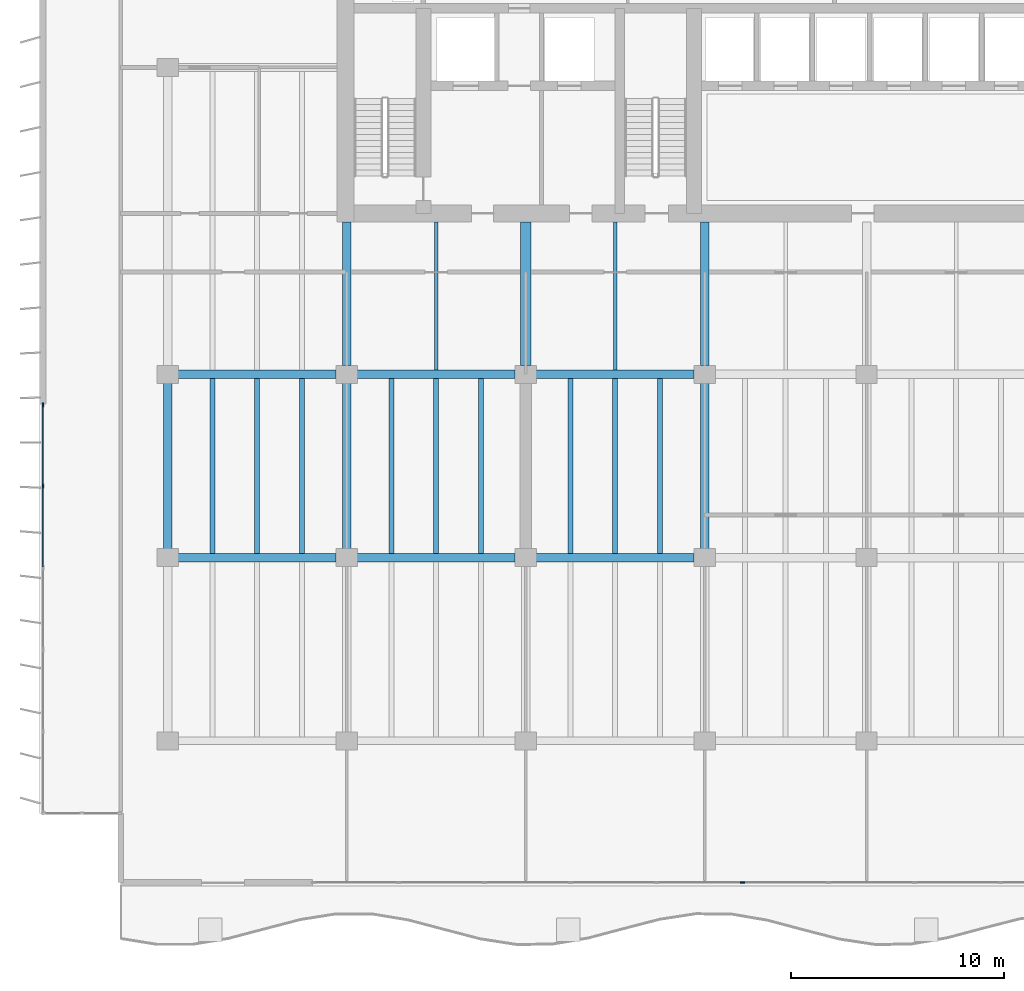
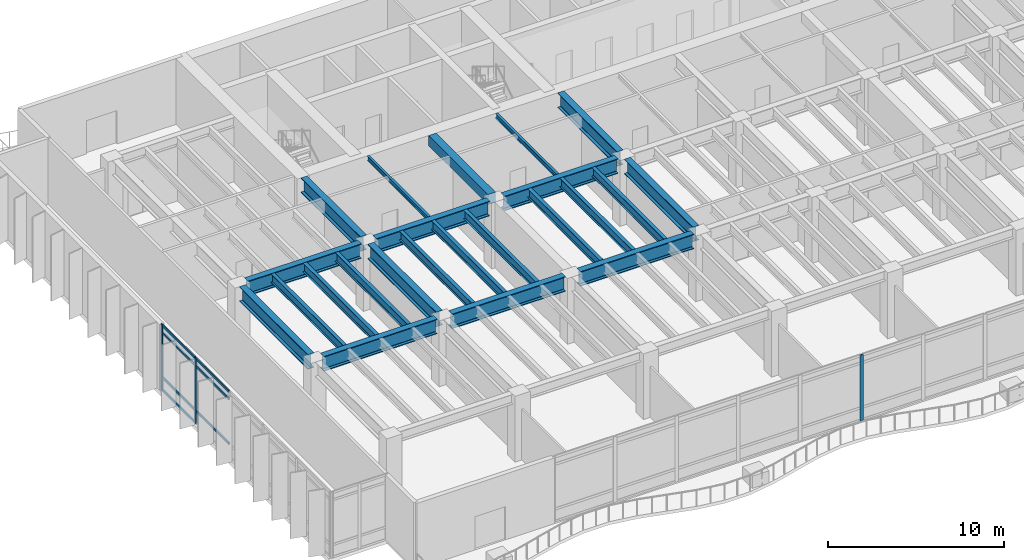
# One storey, part 3 of 16: 23 beams, 10 members, 2 elements without a shape of their own.
"""IFC4 building model written with IfcOpenShell, lengths in metres."""

from ifc_helpers import new_model, si_unit, direction, frame, origin, origin_2d, place, context, subcontext, project, spatial, rectangle, i_section, extrude, material, layer, layer_set, material_profile, profile_set, type_object, element, aggregate, save


model = new_model("IFC4")

# Units and contexts
model_context = context("Model", 3, precision=1e-05, world=origin(), true_north=direction((0.0, 1.0)))
body_context = subcontext(model_context, "Body", "Model", "MODEL_VIEW")
ifc_project = project(units=[si_unit("LENGTHUNIT", "METRE"), si_unit("AREAUNIT", "SQUARE_METRE"), si_unit("VOLUMEUNIT", "CUBIC_METRE"), si_unit("PLANEANGLEUNIT", "RADIAN"), si_unit("MASSUNIT", "GRAM", prefix="KILO")], contexts=[model_context])

# Site, building, storey
site_placement = place(None, origin())
site = spatial("IfcSite", under=ifc_project, at=site_placement, CompositionType="ELEMENT")
building_placement = place(site_placement, origin())
building = spatial("IfcBuilding", under=site, at=building_placement, Name="Caelmar Bay Residences", CompositionType="ELEMENT")
storey_placement = place(building_placement, frame((0.0, 0.0, 97.800048828125)))
storey = spatial("IfcBuildingStorey", under=building, at=storey_placement, Name="L26", CompositionType="ELEMENT", Elevation=97.800048828125)

# Beams
ifc_material_1 = material(Name="Steel ASTM A992 Grade 50", Category="steel")
ifc_material_profile_1 = material_profile(ifc_material_1, i_section(OverallWidth=0.404052734375, OverallDepth=1.02099609375, WebThickness=0.025390625, FlangeThickness=0.0458984375, FilletRadius=0.02294921875, at=origin_2d()), Name="W40X324")
ifc_profile_set_1 = profile_set([ifc_material_profile_1], Name="Steel ASTM A992 Grade 50")
beam_type_1 = type_object("IfcBeamType", Name="BM-GRD-W40X324", PredefinedType="BEAM", material=ifc_profile_set_1)
beam_1_placement = place(storey_placement, frame((10.389892578125, 20.800048828125, 4.03955078125), z_axis=(1.0, 0.0, 0.0), x_axis=(0.0, 1.0, 0.0)))
element("IfcBeam", 1, at=beam_1_placement, inside=storey, type_object=beam_type_1, Name="L26 East-West Girder Y=20.80 (9.9-18.3)", PredefinedType="BEAM", context=body_context, shape_type="SweptSolid", body=[
    extrude(i_section(OverallWidth=0.404052734375, OverallDepth=1.02099609375, WebThickness=0.025390625, FlangeThickness=0.0458984375, FilletRadius=0.02294921875, at=origin_2d()), origin(), (0.0, 0.0, 1.0), 7.420166015625),
])
beam_2_placement = place(storey_placement, frame((18.7900390625, 20.800048828125, 4.03955078125), z_axis=(1.0, 0.0, 0.0), x_axis=(0.0, 1.0, 0.0)))
element("IfcBeam", 2, at=beam_2_placement, inside=storey, type_object=beam_type_1, Name="L26 East-West Girder Y=20.80 (18.3-26.7)", PredefinedType="BEAM", context=body_context, shape_type="SweptSolid", body=[
    extrude(i_section(OverallWidth=0.404052734375, OverallDepth=1.02099609375, WebThickness=0.025390625, FlangeThickness=0.0458984375, FilletRadius=0.02294921875, at=origin_2d()), origin(), (0.0, 0.0, 1.0), 7.419921875),
])
for number, where, z_axis, x_axis, name in (
    (3, (27.18994140625, 20.800048828125, 4.03955078125), (1.0, 0.0, 0.0), (0.0, 1.0, 0.0), "L26 East-West Girder Y=20.80 (26.7-35.1)"),
    (4, (10.389892578125, 29.39990234375, 4.03955078125), (1.0, 0.0, 0.0), (0.0, 1.0, 0.0), "L26 East-West Girder Y=29.40 (9.9-18.3)"),
):
    element("IfcBeam", number, at=place(storey_placement, frame(where, z_axis=z_axis, x_axis=x_axis)), inside=storey, type_object=beam_type_1, Name=name, PredefinedType="BEAM", context=body_context, shape_type="SweptSolid", body=[
        extrude(i_section(OverallWidth=0.404052734375, OverallDepth=1.02099609375, WebThickness=0.025390625, FlangeThickness=0.0458984375, FilletRadius=0.02294921875, at=origin_2d()), origin(), (0.0, 0.0, 1.0), 7.420166015625),
    ])
beam_3_placement = place(storey_placement, frame((18.7900390625, 29.39990234375, 4.03955078125), z_axis=(1.0, 0.0, 0.0), x_axis=(0.0, 1.0, 0.0)))
element("IfcBeam", 5, at=beam_3_placement, inside=storey, type_object=beam_type_1, Name="L26 East-West Girder Y=29.40 (18.3-26.7)", PredefinedType="BEAM", context=body_context, shape_type="SweptSolid", body=[
    extrude(i_section(OverallWidth=0.404052734375, OverallDepth=1.02099609375, WebThickness=0.025390625, FlangeThickness=0.0458984375, FilletRadius=0.02294921875, at=origin_2d()), origin(), (0.0, 0.0, 1.0), 7.419921875),
])
beam_4_placement = place(storey_placement, frame((27.18994140625, 29.39990234375, 4.03955078125), z_axis=(1.0, 0.0, 0.0), x_axis=(0.0, 1.0, 0.0)))
element("IfcBeam", 6, at=beam_4_placement, inside=storey, type_object=beam_type_1, Name="L26 East-West Girder Y=29.40 (26.7-35.1)", PredefinedType="BEAM", context=body_context, shape_type="SweptSolid", body=[
    extrude(i_section(OverallWidth=0.404052734375, OverallDepth=1.02099609375, WebThickness=0.025390625, FlangeThickness=0.0458984375, FilletRadius=0.02294921875, at=origin_2d()), origin(), (0.0, 0.0, 1.0), 7.420166015625),
])
beam_5_placement = place(storey_placement, frame((9.89990234375, 21.215087890625, 4.03955078125), z_axis=(0.0, 1.0, 0.0), x_axis=(-1.0, 0.0, 0.0)))
element("IfcBeam", 7, at=beam_5_placement, inside=storey, type_object=beam_type_1, Name="L26 North-South Girder X=9.90 (20.8-29.4)", PredefinedType="BEAM", context=body_context, shape_type="SweptSolid", body=[
    extrude(i_section(OverallWidth=0.404052734375, OverallDepth=1.02099609375, WebThickness=0.025390625, FlangeThickness=0.0458984375, FilletRadius=0.02294921875, at=origin_2d()), origin(), (0.0, 0.0, 1.0), 7.77001953125),
])
beam_6_placement = place(storey_placement, frame((18.300048828125, 29.81494140625, 4.03955078125), z_axis=(0.0, 1.0, 0.0), x_axis=(-1.0, 0.0, 0.0)))
element("IfcBeam", 8, at=beam_6_placement, inside=storey, type_object=beam_type_1, Name="L26 Core Tie Girder X=18.30", PredefinedType="BEAM", context=body_context, shape_type="SweptSolid", body=[
    extrude(i_section(OverallWidth=0.404052734375, OverallDepth=1.02099609375, WebThickness=0.025390625, FlangeThickness=0.0458984375, FilletRadius=0.02294921875, at=origin_2d()), origin(), (0.0, 0.0, 1.0), 6.735107421875),
])
beam_7_placement = place(storey_placement, frame((18.300048828125, 21.215087890625, 4.03955078125), z_axis=(0.0, 1.0, 0.0), x_axis=(-1.0, 0.0, 0.0)))
element("IfcBeam", 9, at=beam_7_placement, inside=storey, type_object=beam_type_1, Name="L26 North-South Girder X=18.30 (20.8-29.4)", PredefinedType="BEAM", context=body_context, shape_type="SweptSolid", body=[
    extrude(i_section(OverallWidth=0.404052734375, OverallDepth=1.02099609375, WebThickness=0.025390625, FlangeThickness=0.0458984375, FilletRadius=0.02294921875, at=origin_2d()), origin(), (0.0, 0.0, 1.0), 7.77001953125),
])
beam_8_placement = place(storey_placement, frame((35.10009765625, 29.81494140625, 4.03955078125), z_axis=(0.0, 1.0, 0.0), x_axis=(-1.0, 0.0, 0.0)))
element("IfcBeam", 10, at=beam_8_placement, inside=storey, type_object=beam_type_1, Name="L26 Core Tie Girder X=35.10", PredefinedType="BEAM", context=body_context, shape_type="SweptSolid", body=[
    extrude(i_section(OverallWidth=0.404052734375, OverallDepth=1.02099609375, WebThickness=0.025390625, FlangeThickness=0.0458984375, FilletRadius=0.02294921875, at=origin_2d()), origin(), (0.0, 0.0, 1.0), 6.735107421875),
])
beam_9_placement = place(storey_placement, frame((35.10009765625, 21.215087890625, 4.03955078125), z_axis=(0.0, 1.0, 0.0), x_axis=(-1.0, 0.0, 0.0)))
element("IfcBeam", 11, at=beam_9_placement, inside=storey, type_object=beam_type_1, Name="L26 North-South Girder X=35.10 (20.8-29.4)", PredefinedType="BEAM", context=body_context, shape_type="SweptSolid", body=[
    extrude(i_section(OverallWidth=0.404052734375, OverallDepth=1.02099609375, WebThickness=0.025390625, FlangeThickness=0.0458984375, FilletRadius=0.02294921875, at=origin_2d()), origin(), (0.0, 0.0, 1.0), 7.77001953125),
])
ifc_material_profile_2 = material_profile(ifc_material_1, i_section(OverallWidth=0.1650390625, OverallDepth=0.31005859375, WebThickness=0.005859375, FlangeThickness=0.009765625, FilletRadius=0.007568359375, at=origin_2d()), Name="W12X26")
ifc_profile_set_2 = profile_set([ifc_material_profile_2], Name="Steel ASTM A992 Grade 50")
beam_type_2 = type_object("IfcBeamType", Name="BM-JST-W12X26", PredefinedType="JOIST", material=ifc_profile_set_2)
for number, where, z_axis, x_axis, name in (
    (12, (22.5, 29.60205078125, 4.39501953125), (0.0, 1.0, 0.0), (-1.0, 0.0, 0.0), "L26 Core-Band Composite Joist 43"),
    (13, (30.89990234375, 29.60205078125, 4.39501953125), (0.0, 1.0, 0.0), (-1.0, 0.0, 0.0), "L26 Core-Band Composite Joist 44"),
):
    element("IfcBeam", number, at=place(storey_placement, frame(where, z_axis=z_axis, x_axis=x_axis)), inside=storey, type_object=beam_type_2, Name=name, PredefinedType="JOIST", context=body_context, shape_type="SweptSolid", body=[
        extrude(i_section(OverallWidth=0.1650390625, OverallDepth=0.31005859375, WebThickness=0.005859375, FlangeThickness=0.009765625, FilletRadius=0.007568359375, at=origin_2d()), origin(), (0.0, 0.0, 1.0), 6.947998046875),
    ])
ifc_material_profile_3 = material_profile(ifc_material_1, i_section(OverallWidth=0.22900390625, OverallDepth=0.612060546875, WebThickness=0.011962890625, FlangeThickness=0.01953125, FilletRadius=0.0126953125, at=origin_2d()), Name="W24X84")
ifc_profile_set_3 = profile_set([ifc_material_profile_3], Name="Steel ASTM A992 Grade 50")
beam_type_3 = type_object("IfcBeamType", Name="BM-JST-W24X84", PredefinedType="JOIST", material=ifc_profile_set_3)
for number, where, z_axis, x_axis, name in (
    (14, (12.0, 21.001953125, 4.243896484375), (0.0, 1.0, 0.0), (-1.0, 0.0, 0.0), "L26 Composite Floor Joist 22"),
    (15, (14.10009765625, 21.001953125, 4.243896484375), (0.0, 1.0, 0.0), (-1.0, 0.0, 0.0), "L26 Composite Floor Joist 23"),
    (16, (16.199951171875, 21.001953125, 4.243896484375), (0.0, 1.0, 0.0), (-1.0, 0.0, 0.0), "L26 Composite Floor Joist 24"),
    (17, (20.39990234375, 21.001953125, 4.243896484375), (0.0, 1.0, 0.0), (-1.0, 0.0, 0.0), "L26 Composite Floor Joist 25"),
    (18, (22.5, 21.001953125, 4.243896484375), (0.0, 1.0, 0.0), (-1.0, 0.0, 0.0), "L26 Composite Floor Joist 26"),
    (19, (24.60009765625, 21.001953125, 4.243896484375), (0.0, 1.0, 0.0), (-1.0, 0.0, 0.0), "L26 Composite Floor Joist 27"),
    (20, (28.800048828125, 21.001953125, 4.243896484375), (0.0, 1.0, 0.0), (-1.0, 0.0, 0.0), "L26 Composite Floor Joist 28"),
    (21, (30.89990234375, 21.001953125, 4.243896484375), (0.0, 1.0, 0.0), (-1.0, 0.0, 0.0), "L26 Composite Floor Joist 29"),
    (22, (33.0, 21.001953125, 4.243896484375), (0.0, 1.0, 0.0), (-1.0, 0.0, 0.0), "L26 Composite Floor Joist 30"),
):
    element("IfcBeam", number, at=place(storey_placement, frame(where, z_axis=z_axis, x_axis=x_axis)), inside=storey, type_object=beam_type_3, Name=name, PredefinedType="JOIST", context=body_context, shape_type="SweptSolid", body=[
        extrude(i_section(OverallWidth=0.22900390625, OverallDepth=0.612060546875, WebThickness=0.011962890625, FlangeThickness=0.01953125, FilletRadius=0.0126953125, at=origin_2d()), origin(), (0.0, 0.0, 1.0), 8.196044921875),
    ])
ifc_material_2 = material(Name="Concrete f'c 55 MPa (8,000 psi)", Category="concrete")
ifc_material_profile_4 = material_profile(ifc_material_2, rectangle(XDim=0.5, YDim=0.699951171875, at=origin_2d()), Name="RC-BM-500X700")
ifc_profile_set_4 = profile_set([ifc_material_profile_4], Name="Concrete f'c 55 MPa (8,000 psi)")
beam_type_4 = type_object("IfcBeamType", Name="BM-RC-500X700", PredefinedType="LINTEL", material=ifc_profile_set_4)
beam_10_placement = place(storey_placement, frame((26.699951171875, 29.81494140625, 4.199951171875), z_axis=(0.0, 1.0, 0.0), x_axis=(-1.0, 0.0, 0.0)))
element("IfcBeam", 23, at=beam_10_placement, inside=storey, type_object=beam_type_4, Name="L26 Shear-Wall Corridor Coupling Lintel W5", PredefinedType="LINTEL", context=body_context, shape_type="SweptSolid", body=[
    extrude(rectangle(XDim=0.5, YDim=0.699951171875, at=origin_2d()), origin(), (0.0, 0.0, 1.0), 6.735107421875),
])

# Curtain wall, member
ifc_material_3 = material(Name="Anodised bronze aluminium 6063-T6 and laminated glass", Category="aluminium")
ifc_layer = layer(ifc_material_3, 0.179931640625)
ifc_layer_set = layer_set([ifc_layer], Name="Anodised bronze aluminium 6063-T6 and laminated glass")
curtain_wall_type = type_object("IfcCurtainWallType", Name="CW7-CRN", PredefinedType="NOTDEFINED", material=ifc_layer_set)
curtain_wall_1_placement = place(storey_placement, origin())
curtain_wall_1 = element("IfcCurtainWall", 24, at=curtain_wall_1_placement, inside=storey, type_object=curtain_wall_type, Name="CW7 curtain wall L26", PredefinedType="NOTDEFINED")
ifc_material_4 = material(Name="Anodised bronze aluminium 6063-T6", Category="aluminium")
ifc_material_profile_5 = material_profile(ifc_material_4, rectangle(XDim=0.080078125, YDim=0.219970703125, at=origin_2d()), Name="CWM-80X220")
ifc_profile_set_5 = profile_set([ifc_material_profile_5], Name="Anodised bronze aluminium 6063-T6")
member_type_1 = type_object("IfcMemberType", Name="CWM-220", PredefinedType="MULLION", material=ifc_profile_set_5)
member_1_placement = place(storey_placement, frame((36.8818359375, 5.550048828125, 0.0), z_axis=(0.0, 0.0, 1.0), x_axis=(0.0, -1.0, 0.0)))
member_1 = element("IfcMember", 25, at=member_1_placement, type_object=member_type_1, Name="CW7 mullion 7", PredefinedType="MULLION", context=body_context, shape_type="SweptSolid", body=[
    extrude(rectangle(XDim=0.080078125, YDim=0.219970703125, at=origin_2d()), origin(), (0.0, 0.0, 1.0), 4.550048828125),
])
aggregate(curtain_wall_1, [member_1])

# Curtain wall, members
curtain_wall_2_placement = place(storey_placement, origin())
curtain_wall_2 = element("IfcCurtainWall", 26, at=curtain_wall_2_placement, inside=storey, type_object=curtain_wall_type, Name="CW7 curtain wall L26", PredefinedType="NOTDEFINED")
member_2_placement = place(storey_placement, frame((4.050048828125, 24.159912109375, 0.0), z_axis=(0.0, 0.0, 1.0), x_axis=(-1.0, 0.0, 0.0)))
member_2 = element("IfcMember", 27, at=member_2_placement, type_object=member_type_1, Name="CW7 mullion 5", PredefinedType="MULLION", context=body_context, shape_type="SweptSolid", body=[
    extrude(rectangle(XDim=0.080078125, YDim=0.219970703125, at=origin_2d()), origin(), (0.0, 0.0, 1.0), 4.550048828125),
])
member_3_placement = place(storey_placement, frame((4.050048828125, 27.9599609375, 0.0), z_axis=(0.0, 0.0, 1.0), x_axis=(-1.0, 0.0, 0.0)))
member_3 = element("IfcMember", 28, at=member_3_placement, type_object=member_type_1, Name="CW7 mullion 6", PredefinedType="MULLION", context=body_context, shape_type="SweptSolid", body=[
    extrude(rectangle(XDim=0.080078125, YDim=0.219970703125, at=origin_2d()), origin(), (0.0, 0.0, 1.0), 4.550048828125),
])
ifc_material_profile_6 = material_profile(ifc_material_4, rectangle(XDim=0.080078125, YDim=0.159912109375, at=origin_2d()), Name="CWT-80X160")
ifc_profile_set_6 = profile_set([ifc_material_profile_6], Name="Anodised bronze aluminium 6063-T6")
member_type_2 = type_object("IfcMemberType", Name="CWT-160", PredefinedType="NOTDEFINED", material=ifc_profile_set_6)
member_4_placement = place(storey_placement, frame((4.050048828125, 20.360107421875, 0.89990234375), z_axis=(0.0, 1.0, 0.0), x_axis=(-1.0, 0.0, 0.0)))
member_4 = element("IfcMember", 29, at=member_4_placement, type_object=member_type_2, Name="CW7 transom 4.2", ObjectType="TRANSOM", PredefinedType="USERDEFINED", context=body_context, shape_type="SweptSolid", body=[
    extrude(rectangle(XDim=0.080078125, YDim=0.159912109375, at=origin_2d()), origin(), (0.0, 0.0, 1.0), 3.760009765625),
])
member_5_placement = place(storey_placement, frame((4.050048828125, 20.360107421875, 4.0), z_axis=(0.0, 1.0, 0.0), x_axis=(-1.0, 0.0, 0.0)))
member_5 = element("IfcMember", 30, at=member_5_placement, type_object=member_type_2, Name="CW7 transom 4.3", ObjectType="TRANSOM", PredefinedType="USERDEFINED", context=body_context, shape_type="SweptSolid", body=[
    extrude(rectangle(XDim=0.080078125, YDim=0.159912109375, at=origin_2d()), origin(), (0.0, 0.0, 1.0), 3.760009765625),
])
member_6_placement = place(storey_placement, frame((4.050048828125, 20.360107421875, 4.510009765625), z_axis=(0.0, 1.0, 0.0), x_axis=(-1.0, 0.0, 0.0)))
member_6 = element("IfcMember", 31, at=member_6_placement, type_object=member_type_2, Name="CW7 transom 4.4", ObjectType="TRANSOM", PredefinedType="USERDEFINED", context=body_context, shape_type="SweptSolid", body=[
    extrude(rectangle(XDim=0.080078125, YDim=0.159912109375, at=origin_2d()), origin(), (0.0, 0.0, 1.0), 3.760009765625),
])
member_7_placement = place(storey_placement, frame((4.050048828125, 24.199951171875, 0.0400390625), z_axis=(0.0, 1.0, 0.0), x_axis=(-1.0, 0.0, 0.0)))
member_7 = element("IfcMember", 32, at=member_7_placement, type_object=member_type_2, Name="CW7 transom 5.1", ObjectType="TRANSOM", PredefinedType="USERDEFINED", context=body_context, shape_type="SweptSolid", body=[
    extrude(rectangle(XDim=0.080078125, YDim=0.159912109375, at=origin_2d()), origin(), (0.0, 0.0, 1.0), 3.719970703125),
])
member_8_placement = place(storey_placement, frame((4.050048828125, 24.199951171875, 0.89990234375), z_axis=(0.0, 1.0, 0.0), x_axis=(-1.0, 0.0, 0.0)))
member_8 = element("IfcMember", 33, at=member_8_placement, type_object=member_type_2, Name="CW7 transom 5.2", ObjectType="TRANSOM", PredefinedType="USERDEFINED", context=body_context, shape_type="SweptSolid", body=[
    extrude(rectangle(XDim=0.080078125, YDim=0.159912109375, at=origin_2d()), origin(), (0.0, 0.0, 1.0), 3.719970703125),
])
member_9_placement = place(storey_placement, frame((4.050048828125, 24.199951171875, 4.0), z_axis=(0.0, 1.0, 0.0), x_axis=(-1.0, 0.0, 0.0)))
member_9 = element("IfcMember", 34, at=member_9_placement, type_object=member_type_2, Name="CW7 transom 5.3", ObjectType="TRANSOM", PredefinedType="USERDEFINED", context=body_context, shape_type="SweptSolid", body=[
    extrude(rectangle(XDim=0.080078125, YDim=0.159912109375, at=origin_2d()), origin(), (0.0, 0.0, 1.0), 3.719970703125),
])
member_10_placement = place(storey_placement, frame((4.050048828125, 24.199951171875, 4.510009765625), z_axis=(0.0, 1.0, 0.0), x_axis=(-1.0, 0.0, 0.0)))
member_10 = element("IfcMember", 35, at=member_10_placement, type_object=member_type_2, Name="CW7 transom 5.4", ObjectType="TRANSOM", PredefinedType="USERDEFINED", context=body_context, shape_type="SweptSolid", body=[
    extrude(rectangle(XDim=0.080078125, YDim=0.159912109375, at=origin_2d()), origin(), (0.0, 0.0, 1.0), 3.719970703125),
])
aggregate(curtain_wall_2, [member_2, member_3, member_4, member_5, member_6, member_7, member_8, member_9, member_10])

save(model, "model.ifc")
